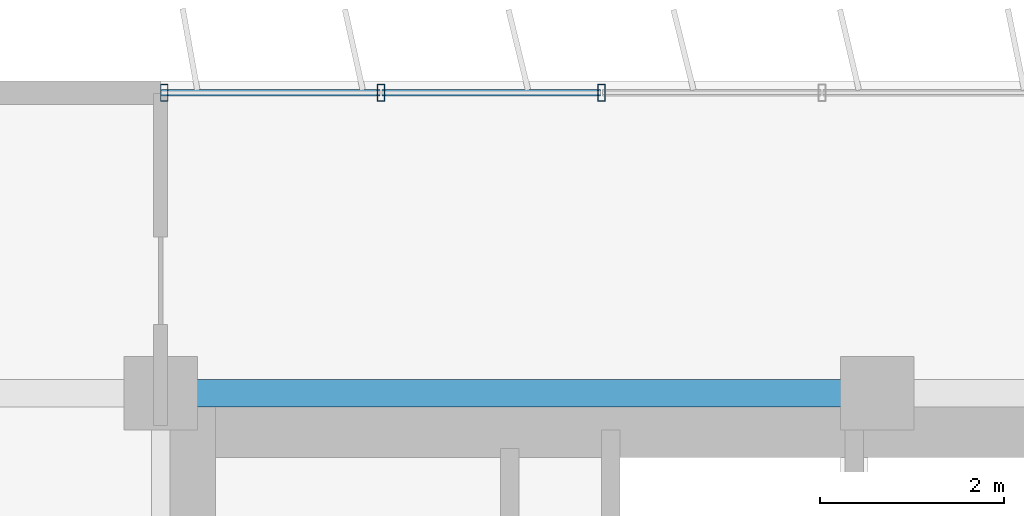
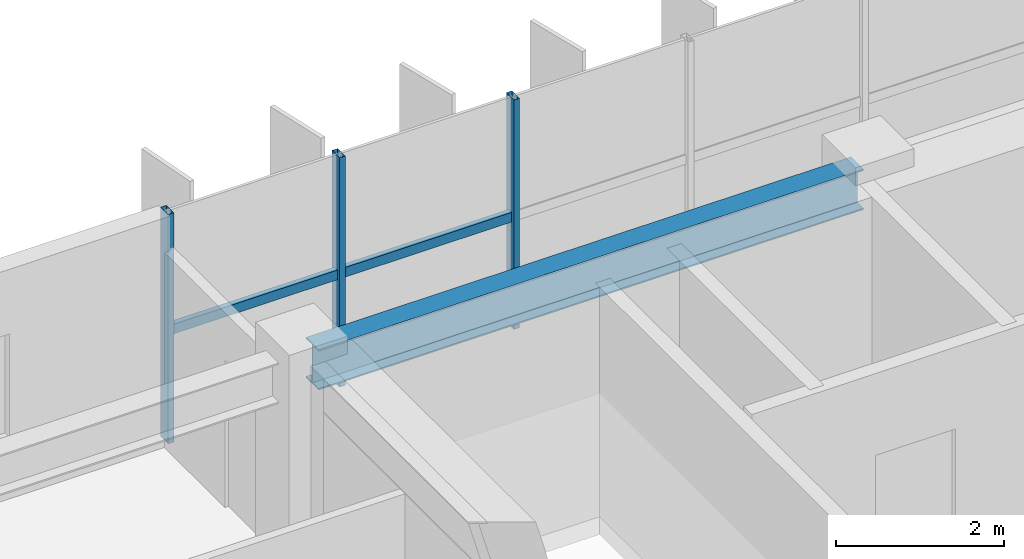
# One storey, part 5 of 22: 5 members, 1 beam, 1 element without a shape of its own.
"""IFC4 building model written with IfcOpenShell, lengths in metres."""

from ifc_helpers import new_model, si_unit, direction, frame, origin, origin_2d, place, context, subcontext, project, spatial, hollow_rectangle, i_section, extrude, source, transform, mapped, material, material_profile, profile_set, type_object, element, aggregate, save


model = new_model("IFC4")

# Units and contexts
model_context = context("Model", 3, precision=1e-05, world=origin(), true_north=direction((0.0, 1.0)))
body_context = subcontext(model_context, "Body", "Model", "MODEL_VIEW")
ifc_project = project(units=[si_unit("LENGTHUNIT", "METRE"), si_unit("AREAUNIT", "SQUARE_METRE"), si_unit("VOLUMEUNIT", "CUBIC_METRE"), si_unit("PLANEANGLEUNIT", "RADIAN"), si_unit("MASSUNIT", "GRAM", prefix="KILO")], contexts=[model_context])

# Site, building, storey
site_placement = place(None, origin())
site = spatial("IfcSite", under=ifc_project, at=site_placement, CompositionType="ELEMENT")
building_placement = place(site_placement, origin())
building = spatial("IfcBuilding", under=site, at=building_placement, Name="Trelvane Seafront Commons", CompositionType="ELEMENT")
storey_placement = place(building_placement, frame((0.0, 0.0, 92.5)))
storey = spatial("IfcBuildingStorey", under=building, at=storey_placement, Name="L23", CompositionType="ELEMENT", Elevation=92.5)

# Beam
ifc_material_1 = material(Name="Steel SM355 (S355)", Category="steel")
ifc_material_profile_1 = material_profile(ifc_material_1, i_section(OverallWidth=0.300048828125, OverallDepth=0.587890625, WebThickness=0.011962890625, FlangeThickness=0.02001953125, at=origin_2d()), Name="H-588x300x12x20")
ifc_profile_set_1 = profile_set([ifc_material_profile_1], Name="Steel SM355 (S355)")
beam_type = type_object("IfcBeamType", Name="STR-BM-H588", PredefinedType="BEAM", material=ifc_profile_set_1)
shared_shape_1 = source(origin(), body_context, "Body", "SweptSolid", [
    extrude(i_section(OverallWidth=0.300048828125, OverallDepth=0.587890625, WebThickness=0.011962890625, FlangeThickness=0.02001953125, at=origin_2d()), origin(), (0.0, 0.0, 1.0), 7.5),
])
beam_placement = place(storey_placement, frame((15.75, 45.10009765625, 3.0458984375), z_axis=(1.0, 0.0, 0.0), x_axis=(0.0, 1.0, 0.0)))
element("IfcBeam", 1, at=beam_placement, inside=storey, type_object=beam_type, Name="L23 Primary Girder G-30", PredefinedType="BEAM", context=body_context, shape_type="MappedRepresentation", body=[
    mapped(shared_shape_1, transform((0.0, 0.0, 0.0), x_axis=(1.0, 0.0, 0.0), y_axis=(0.0, 1.0, 0.0), z_axis=(0.0, 0.0, 1.0), scale=1.0)),
])

# Curtain wall, members
ifc_material_2 = material(Name="Anodised pale-silver aluminium", Category="aluminium")
curtain_wall_type = type_object("IfcCurtainWallType", Name="ARCH-CW4-SKYLOBBY", PredefinedType="NOTDEFINED", material=ifc_material_2)
curtain_wall_placement = place(storey_placement, origin())
curtain_wall = element("IfcCurtainWall", 2, at=curtain_wall_placement, inside=storey, type_object=curtain_wall_type, Name="CW-L23-0048", PredefinedType="NOTDEFINED")
ifc_material_profile_2 = material_profile(ifc_material_2, hollow_rectangle(XDim=0.074951171875, YDim=0.139892578125, WallThickness=0.00390625, at=origin_2d()), Name="TRAN-75x140x4")
ifc_profile_set_2 = profile_set([ifc_material_profile_2], Name="Anodised pale-silver aluminium")
member_type_1 = type_object("IfcMemberType", Name="ARCH-CW-TRAN-140", PredefinedType="USERDEFINED", material=ifc_profile_set_2)
shared_shape_2 = source(origin(), body_context, "Body", "SweptSolid", [
    extrude(hollow_rectangle(XDim=0.074951171875, YDim=0.139892578125, WallThickness=0.00390625, at=origin_2d()), origin(), (0.0, 0.0, 1.0), 2.3759765625),
])
member_1_placement = place(storey_placement, frame((15.612060546875, 48.3701171875, 1.60302734375), z_axis=(1.0, 0.0, 0.0), x_axis=(0.0, 1.0, 0.0)))
member_1 = element("IfcMember", 3, at=member_1_placement, type_object=member_type_1, Name="CW-L23-0048-T00", ObjectType="TRANSOM", PredefinedType="USERDEFINED", context=body_context, shape_type="MappedRepresentation", body=[
    mapped(shared_shape_2, transform((0.0, 0.0, 0.0), x_axis=(1.0, 0.0, 0.0), y_axis=(0.0, 1.0, 0.0), z_axis=(0.0, 0.0, 1.0), scale=1.0)),
])
member_2_placement = place(storey_placement, frame((18.011962890625, 48.3701171875, 1.60302734375), z_axis=(1.0, 0.0, 0.0), x_axis=(0.0, 1.0, 0.0)))
member_2 = element("IfcMember", 4, at=member_2_placement, type_object=member_type_1, Name="CW-L23-0048-T01", ObjectType="TRANSOM", PredefinedType="USERDEFINED", context=body_context, shape_type="MappedRepresentation", body=[
    mapped(shared_shape_2, transform((0.0, 0.0, 0.0), x_axis=(1.0, 0.0, 0.0), y_axis=(0.0, 1.0, 0.0), z_axis=(0.0, 0.0, 1.0), scale=1.0)),
])
ifc_material_profile_3 = material_profile(ifc_material_2, hollow_rectangle(XDim=0.080078125, YDim=0.179931640625, WallThickness=0.00439453125, at=origin_2d()), Name="MULL-80x180x4.5")
ifc_profile_set_3 = profile_set([ifc_material_profile_3], Name="Anodised pale-silver aluminium")
member_type_2 = type_object("IfcMemberType", Name="ARCH-CW-MULL-180", PredefinedType="MULLION", material=ifc_profile_set_3)
shared_shape_3 = source(origin(), body_context, "Body", "SweptSolid", [
    extrude(hollow_rectangle(XDim=0.080078125, YDim=0.179931640625, WallThickness=0.00439453125, at=origin_2d()), origin(), (0.0, 0.0, 1.0), 3.340087890625),
])
member_3_placement = place(storey_placement, frame((15.639892578125, 48.3701171875, 0.0), z_axis=(0.0, 0.0, 1.0), x_axis=(1.0, 0.0, 0.0)))
member_3 = element("IfcMember", 5, at=member_3_placement, type_object=member_type_2, Name="CW-L23-0048-M00", PredefinedType="MULLION", context=body_context, shape_type="MappedRepresentation", body=[
    mapped(shared_shape_3, transform((0.0, 0.0, 0.0), x_axis=(1.0, 0.0, 0.0), y_axis=(0.0, 1.0, 0.0), z_axis=(0.0, 0.0, 1.0), scale=1.0)),
])
member_4_placement = place(storey_placement, frame((18.0, 48.3701171875, 0.0), z_axis=(0.0, 0.0, 1.0), x_axis=(1.0, 0.0, 0.0)))
member_4 = element("IfcMember", 6, at=member_4_placement, type_object=member_type_2, Name="CW-L23-0048-M01", PredefinedType="MULLION", context=body_context, shape_type="MappedRepresentation", body=[
    mapped(shared_shape_3, transform((0.0, 0.0, 0.0), x_axis=(1.0, 0.0, 0.0), y_axis=(0.0, 1.0, 0.0), z_axis=(0.0, 0.0, 1.0), scale=1.0)),
])
member_5_placement = place(storey_placement, frame((20.39990234375, 48.3701171875, 0.0), z_axis=(0.0, 0.0, 1.0), x_axis=(1.0, 0.0, 0.0)))
member_5 = element("IfcMember", 7, at=member_5_placement, type_object=member_type_2, Name="CW-L23-0048-M02", PredefinedType="MULLION", context=body_context, shape_type="MappedRepresentation", body=[
    mapped(shared_shape_3, transform((0.0, 0.0, 0.0), x_axis=(1.0, 0.0, 0.0), y_axis=(0.0, 1.0, 0.0), z_axis=(0.0, 0.0, 1.0), scale=1.0)),
])
aggregate(curtain_wall, [member_3, member_4, member_5, member_1, member_2])

save(model, "model.ifc")
